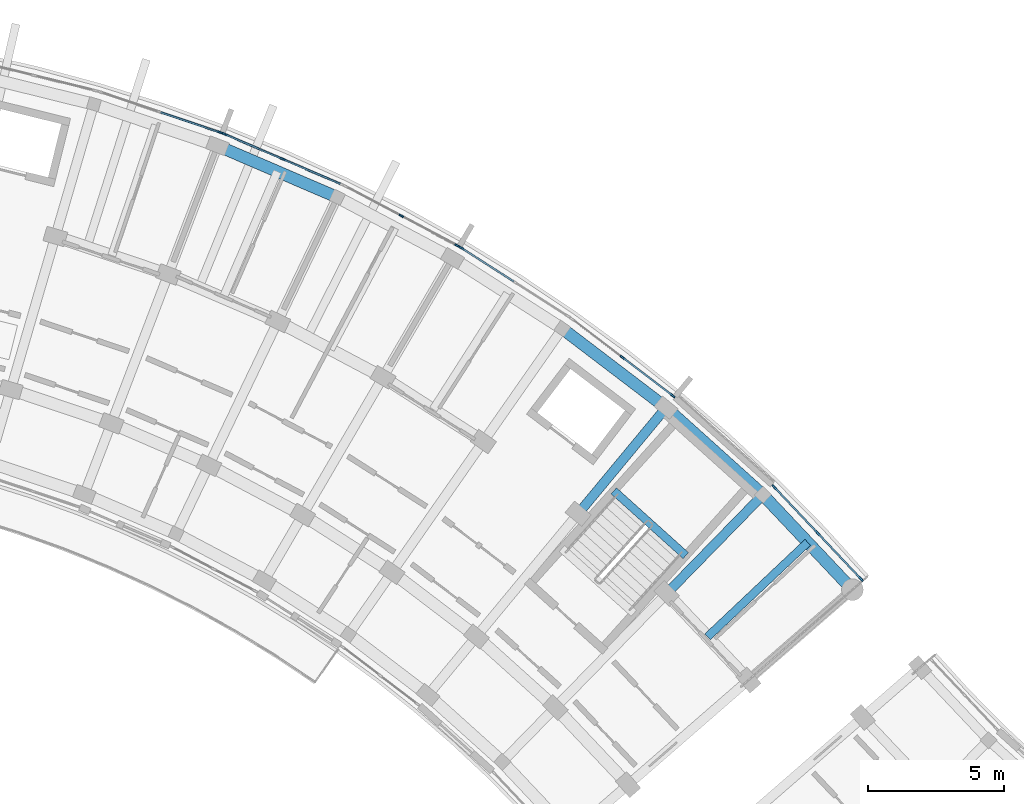
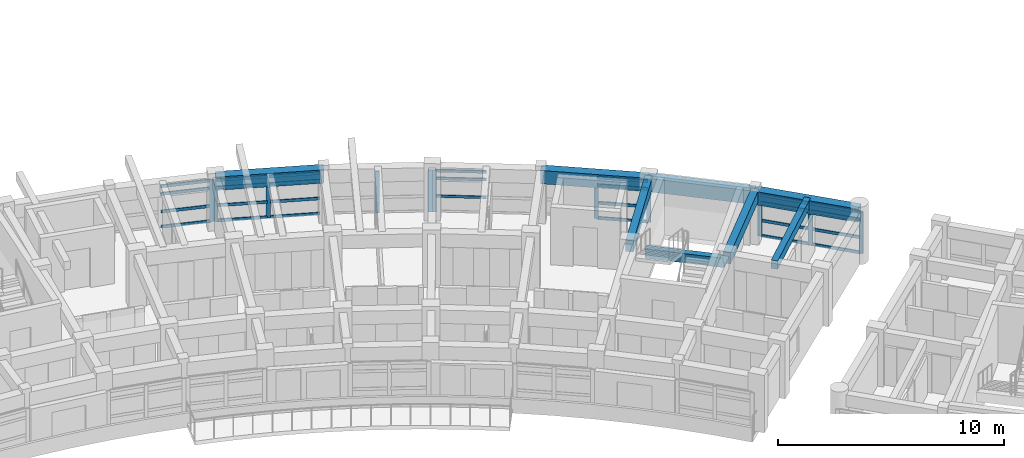
# One storey, part 15 of 56: 38 members, 8 beams, 6 elements without a shape of their own.
"""IFC4 building model written with IfcOpenShell, lengths in metres."""

from ifc_helpers import new_model, si_unit, direction, frame, origin, origin_2d, place, context, subcontext, project, spatial, rectangle, extrude, material, material_profile, profile_set, type_object, element, aggregate, save


model = new_model("IFC4")

# Units and contexts
model_context = context("Model", 3, precision=1e-05, world=origin(), true_north=direction((0.0, 1.0)))
body_context = subcontext(model_context, "Body", "Model", "MODEL_VIEW")
ifc_project = project(units=[si_unit("LENGTHUNIT", "METRE"), si_unit("AREAUNIT", "SQUARE_METRE"), si_unit("VOLUMEUNIT", "CUBIC_METRE"), si_unit("PLANEANGLEUNIT", "RADIAN"), si_unit("MASSUNIT", "GRAM", prefix="KILO")], contexts=[model_context])

# Site, building, storey
site_placement = place(None, origin())
site = spatial("IfcSite", under=ifc_project, at=site_placement, CompositionType="ELEMENT")
building_placement = place(site_placement, origin())
building = spatial("IfcBuilding", under=site, at=building_placement, Name="Zimvara Arc Housing Community", CompositionType="ELEMENT")
storey_placement = place(building_placement, frame((0.0, 0.0, 17.39990234375)))
storey = spatial("IfcBuildingStorey", under=building, at=storey_placement, Name="L05", CompositionType="ELEMENT", Elevation=17.39990234375)

# Beams
ifc_material_1 = material(Name="Concrete C40/50", Category="concrete")
ifc_material_profile_1 = material_profile(ifc_material_1, rectangle(XDim=0.300048828125, YDim=0.449951171875, at=origin_2d()), Name="RC 300x450")
ifc_profile_set_1 = profile_set([ifc_material_profile_1], Name="Concrete C40/50")
beam_type_1 = type_object("IfcBeamType", Name="BM-RC-300x450", PredefinedType="JOIST", material=ifc_profile_set_1)
beam_1_placement = place(storey_placement, frame((84.095703125, 81.3935546875, 2.64501953125), z_axis=(0.727299876429, 0.686319815936, 0.0), x_axis=(-0.686319815936, 0.727299876429, 0.0)))
element("IfcBeam", 1, at=beam_1_placement, inside=storey, type_object=beam_type_1, Name="bm:blkB:L05:joist:b9", PredefinedType="JOIST", context=body_context, shape_type="SweptSolid", body=[
    extrude(rectangle(XDim=0.300048828125, YDim=0.449951171875, at=origin_2d()), origin(), (0.0, 0.0, 1.0), 5.075927734375),
])
ifc_material_2 = material(Name="Concrete C40/50", Category="concrete")
ifc_material_profile_2 = material_profile(ifc_material_2, rectangle(XDim=0.300048828125, YDim=0.5, at=origin_2d()), Name="RC 300x500")
ifc_profile_set_2 = profile_set([ifc_material_profile_2], Name="Concrete C40/50")
beam_type_2 = type_object("IfcBeamType", Name="BM-RC-300x500", PredefinedType="BEAM", material=ifc_profile_set_2)
beam_2_placement = place(storey_placement, frame((83.2900390625, 84.38671875, 1.300048828125), z_axis=(-0.743396155404, 0.668851370732, 0.0), x_axis=(-0.668851370732, -0.743396155404, 0.0)))
element("IfcBeam", 2, at=beam_2_placement, inside=storey, type_object=beam_type_2, Name="bm:stair_trim:ST-B2:L05:mid", PredefinedType="BEAM", context=body_context, shape_type="SweptSolid", body=[
    extrude(rectangle(XDim=0.300048828125, YDim=0.5, at=origin_2d()), origin(), (0.0, 0.0, 1.0), 3.56982421875),
])
ifc_material_3 = material(Name="Concrete C40/50", Category="concrete")
ifc_material_profile_3 = material_profile(ifc_material_3, rectangle(XDim=0.35009765625, YDim=0.60009765625, at=origin_2d()), Name="RC 350x600")
ifc_profile_set_3 = profile_set([ifc_material_profile_3], Name="Concrete C40/50")
beam_type_3 = type_object("IfcBeamType", Name="BM-RC-350x600", PredefinedType="BEAM", material=ifc_profile_set_3)
for number, where, z_axis, x_axis, name in (
    (3, (79.322265625, 85.9296875, 2.570068359375), (0.637983669165, 0.77004989311, 0.0), (-0.77004989311, 0.637983669165, 0.0), "bm:blkB:L05:rad:b8:r23"),
    (4, (82.588134765625, 82.9912109375, 2.570068359375), (0.698670885014, 0.71544321538, 0.0), (-0.71544321538, 0.698670885014, 0.0), "bm:blkB:L05:rad:b9:r23"),
):
    element("IfcBeam", number, at=place(storey_placement, frame(where, z_axis=z_axis, x_axis=x_axis)), inside=storey, type_object=beam_type_3, Name=name, PredefinedType="BEAM", context=body_context, shape_type="SweptSolid", body=[
        extrude(rectangle(XDim=0.35009765625, YDim=0.60009765625, at=origin_2d()), origin(), (0.0, 0.0, 1.0), 5.080078125),
    ])
ifc_material_4 = material(Name="Concrete C40/50", Category="concrete")
ifc_material_profile_4 = material_profile(ifc_material_4, rectangle(XDim=0.43994140625, YDim=0.719970703125, at=origin_2d()), Name="RC 440x720")
ifc_profile_set_4 = profile_set([ifc_material_profile_4], Name="Concrete C40/50")
beam_type_4 = type_object("IfcBeamType", Name="BM-RC-440x720", PredefinedType="BEAM", material=ifc_profile_set_4)
for number, where, z_axis, x_axis, name in (
    (5, (66.02392578125, 99.49853515625, 2.510009765625), (0.918724276228, -0.394899612901, 0.0), (0.394899612901, 0.918724276228, 0.0), "bm:blkB:L05:chord:r3:b4"),
    (6, (78.738525390625, 92.755126953125, 2.510009765625), (0.795480673672, -0.605978958228, 0.0), (0.605978958228, 0.795480673672, 0.0), "bm:blkB:L05:chord:r3:b7"),
):
    element("IfcBeam", number, at=place(storey_placement, frame(where, z_axis=z_axis, x_axis=x_axis)), inside=storey, type_object=beam_type_4, Name=name, PredefinedType="BEAM", context=body_context, shape_type="SweptSolid", body=[
        extrude(rectangle(XDim=0.43994140625, YDim=0.719970703125, at=origin_2d()), origin(), (0.0, 0.0, 1.0), 4.80810546875),
    ])
beam_3_placement = place(storey_placement, frame((82.563232421875, 89.841552734375, 2.510009765625), z_axis=(0.743395133402, -0.668852506637, 0.0), x_axis=(0.668852506637, 0.743395133402, 0.0)))
element("IfcBeam", 7, at=beam_3_placement, inside=storey, type_object=beam_type_4, Name="bm:blkB:L05:chord:r3:b8", PredefinedType="BEAM", context=body_context, shape_type="SweptSolid", body=[
    extrude(rectangle(XDim=0.43994140625, YDim=0.719970703125, at=origin_2d()), origin(), (0.0, 0.0, 1.0), 4.807861328125),
])
beam_4_placement = place(storey_placement, frame((86.137451171875, 86.625732421875, 2.510009765625), z_axis=(0.6862954451, -0.727322873307, 0.0), x_axis=(0.727322873307, 0.6862954451, 0.0)))
element("IfcBeam", 8, at=beam_4_placement, inside=storey, type_object=beam_type_4, Name="bm:blkB:L05:chord:r3:b9", PredefinedType="BEAM", context=body_context, shape_type="SweptSolid", body=[
    extrude(rectangle(XDim=0.43994140625, YDim=0.719970703125, at=origin_2d()), origin(), (0.0, 0.0, 1.0), 4.80810546875),
])

# Curtain wall, members
ifc_material_5 = material(Name="Anodised Aluminium AW-6063", Category="aluminium")
curtain_wall_type_1 = type_object("IfcCurtainWallType", Name="CW-SYS-02", PredefinedType="USERDEFINED", material=ifc_material_5)
curtain_wall_1_placement = place(storey_placement, origin())
curtain_wall_1 = element("IfcCurtainWall", 9, at=curtain_wall_1_placement, inside=storey, type_object=curtain_wall_type_1, Name="cw:blkB:L05:out:b5", ObjectType="CURTAIN WALL", PredefinedType="USERDEFINED")
ifc_material_6 = material(Name="Anodised Aluminium AW-6063", Category="aluminium")
ifc_material_profile_5 = material_profile(ifc_material_6, rectangle(XDim=0.06494140625, YDim=0.179931640625, at=origin_2d()), Name="ALU 65x180")
ifc_profile_set_5 = profile_set([ifc_material_profile_5], Name="Anodised Aluminium AW-6063")
member_type_1 = type_object("IfcMemberType", Name="CWM-65x150", PredefinedType="MULLION", material=ifc_profile_set_5)
member_1_placement = place(storey_placement, frame((72.799072265625, 96.914794921875, 0.0), z_axis=(0.0, 0.0, 1.0), x_axis=(0.468546917761, 0.883438614651, 0.0)))
member_1 = element("IfcMember", 10, at=member_1_placement, type_object=member_type_1, Name="CW02 mullion 2", PredefinedType="MULLION", context=body_context, shape_type="SweptSolid", body=[
    extrude(rectangle(XDim=0.06494140625, YDim=0.179931640625, at=origin_2d()), origin(), (0.0, 0.0, 1.0), 2.25),
])
member_2_placement = place(storey_placement, frame((74.859130859375, 95.822265625, 0.0), z_axis=(0.0, 0.0, 1.0), x_axis=(0.468546917761, 0.883438614651, 0.0)))
member_2 = element("IfcMember", 11, at=member_2_placement, type_object=member_type_1, Name="CW02 mullion 3", PredefinedType="MULLION", context=body_context, shape_type="SweptSolid", body=[
    extrude(rectangle(XDim=0.06494140625, YDim=0.179931640625, at=origin_2d()), origin(), (0.0, 0.0, 1.0), 2.25),
])
aggregate(curtain_wall_1, [member_1, member_2])

# Curtain wall, member
ifc_material_7 = material(Name="Anodised Aluminium AW-6063", Category="aluminium")
curtain_wall_type_2 = type_object("IfcCurtainWallType", Name="CW-SYS-04", PredefinedType="USERDEFINED", material=ifc_material_7)
curtain_wall_2_placement = place(storey_placement, origin())
curtain_wall_2 = element("IfcCurtainWall", 12, at=curtain_wall_2_placement, inside=storey, type_object=curtain_wall_type_2, Name="cw:blkB:L05:out:b6", ObjectType="CURTAIN WALL", PredefinedType="USERDEFINED")
member_3_placement = place(storey_placement, frame((75.018798828125, 95.72900390625, 0.0), z_axis=(0.0, 0.0, 1.0), x_axis=(0.539064617721, 0.842264410931, 0.0)))
member_3 = element("IfcMember", 13, at=member_3_placement, type_object=member_type_1, Name="CW04 mullion 1", PredefinedType="MULLION", context=body_context, shape_type="SweptSolid", body=[
    extrude(rectangle(XDim=0.06494140625, YDim=0.179931640625, at=origin_2d()), origin(), (0.0, 0.0, 1.0), 2.25),
])

ifc_material_8 = material(Name="Anodised Aluminium AW-6063", Category="aluminium")
curtain_wall_type_3 = type_object("IfcCurtainWallType", Name="CW-SYS-07", PredefinedType="USERDEFINED", material=ifc_material_8)
curtain_wall_3_placement = place(storey_placement, origin())
curtain_wall_3 = element("IfcCurtainWall", 14, at=curtain_wall_3_placement, inside=storey, type_object=curtain_wall_type_3, Name="cw:blkB:L05:out:b3", ObjectType="CURTAIN WALL", PredefinedType="USERDEFINED")
ifc_material_9 = material(Name="Anodised Aluminium AW-6063", Category="aluminium")
ifc_material_profile_6 = material_profile(ifc_material_9, rectangle(XDim=0.06494140625, YDim=0.195068359375, at=origin_2d()), Name="ALU 65x195")
ifc_profile_set_6 = profile_set([ifc_material_profile_6], Name="Anodised Aluminium AW-6063")
member_type_2 = type_object("IfcMemberType", Name="CWM-65x180", PredefinedType="MULLION", material=ifc_profile_set_6)
member_4_placement = place(storey_placement, frame((66.11474609375, 99.9951171875, 0.0), z_axis=(0.0, 0.0, 1.0), x_axis=(0.318628583921, 0.947879647164, 0.0)))
member_4 = element("IfcMember", 15, at=member_4_placement, type_object=member_type_2, Name="CW07 mullion 3", PredefinedType="MULLION", context=body_context, shape_type="SweptSolid", body=[
    extrude(rectangle(XDim=0.06494140625, YDim=0.195068359375, at=origin_2d()), origin(), (0.0, 0.0, 1.0), 2.25),
])

# Curtain wall, members
ifc_material_10 = material(Name="Anodised Aluminium AW-6063", Category="aluminium")
curtain_wall_type_4 = type_object("IfcCurtainWallType", Name="CW-SYS-01", PredefinedType="USERDEFINED", material=ifc_material_10)
curtain_wall_4_placement = place(storey_placement, origin())
curtain_wall_4 = element("IfcCurtainWall", 16, at=curtain_wall_4_placement, inside=storey, type_object=curtain_wall_type_4, Name="cw:blkB:L05:out:b4", ObjectType="CURTAIN WALL", PredefinedType="USERDEFINED")
member_5_placement = place(storey_placement, frame((66.287353515625, 99.92919921875, 0.0), z_axis=(0.0, 0.0, 1.0), x_axis=(0.394904211998, 0.918722299363, 0.0)))
member_5 = element("IfcMember", 17, at=member_5_placement, type_object=member_type_2, Name="CW01 mullion 1", PredefinedType="MULLION", context=body_context, shape_type="SweptSolid", body=[
    extrude(rectangle(XDim=0.06494140625, YDim=0.195068359375, at=origin_2d()), origin(), (0.0, 0.0, 1.0), 2.25),
])
member_6_placement = place(storey_placement, frame((68.429931640625, 99.00830078125, 0.0), z_axis=(0.0, 0.0, 1.0), x_axis=(0.394904211998, 0.918722299363, 0.0)))
member_6 = element("IfcMember", 18, at=member_6_placement, type_object=member_type_2, Name="CW01 mullion 2", PredefinedType="MULLION", context=body_context, shape_type="SweptSolid", body=[
    extrude(rectangle(XDim=0.06494140625, YDim=0.195068359375, at=origin_2d()), origin(), (0.0, 0.0, 1.0), 2.25),
])

ifc_material_11 = material(Name="Anodised Aluminium AW-6063", Category="aluminium")
curtain_wall_type_5 = type_object("IfcCurtainWallType", Name="CW-SYS-05", PredefinedType="USERDEFINED", material=ifc_material_11)
curtain_wall_5_placement = place(storey_placement, origin())
curtain_wall_5 = element("IfcCurtainWall", 19, at=curtain_wall_5_placement, inside=storey, type_object=curtain_wall_type_5, Name="cw:blkB:L05:out:b7", ObjectType="CURTAIN WALL", PredefinedType="USERDEFINED")
member_7_placement = place(storey_placement, frame((80.95361328125, 91.69580078125, 0.0), z_axis=(0.0, 0.0, 1.0), x_axis=(0.60598771987, 0.795473999177, 0.0)))
member_7 = element("IfcMember", 20, at=member_7_placement, type_object=member_type_2, Name="CW05 mullion 2", PredefinedType="MULLION", context=body_context, shape_type="SweptSolid", body=[
    extrude(rectangle(XDim=0.06494140625, YDim=0.195068359375, at=origin_2d()), origin(), (0.0, 0.0, 1.0), 2.25),
])
member_8_placement = place(storey_placement, frame((82.80859375, 90.28271484375, 0.0), z_axis=(0.0, 0.0, 1.0), x_axis=(0.60598771987, 0.795473999177, 0.0)))
member_8 = element("IfcMember", 21, at=member_8_placement, type_object=member_type_2, Name="CW05 mullion 3", PredefinedType="MULLION", context=body_context, shape_type="SweptSolid", body=[
    extrude(rectangle(XDim=0.06494140625, YDim=0.195068359375, at=origin_2d()), origin(), (0.0, 0.0, 1.0), 2.25),
])

curtain_wall_6_placement = place(storey_placement, origin())
curtain_wall_6 = element("IfcCurtainWall", 22, at=curtain_wall_6_placement, inside=storey, type_object=curtain_wall_type_3, Name="cw:blkB:L05:out:b9", ObjectType="CURTAIN WALL", PredefinedType="USERDEFINED")
member_9_placement = place(storey_placement, frame((86.55029296875, 86.916015625, 0.0), z_axis=(0.0, 0.0, 1.0), x_axis=(0.727293647725, 0.686326416495, 0.0)))
member_9 = element("IfcMember", 23, at=member_9_placement, type_object=member_type_2, Name="CW07 mullion 1", PredefinedType="MULLION", context=body_context, shape_type="SweptSolid", body=[
    extrude(rectangle(XDim=0.06494140625, YDim=0.195068359375, at=origin_2d()), origin(), (0.0, 0.0, 1.0), 2.25),
])
member_10_placement = place(storey_placement, frame((88.150634765625, 85.219970703125, 0.0), z_axis=(0.0, 0.0, 1.0), x_axis=(0.727293647725, 0.686326416495, 0.0)))
member_10 = element("IfcMember", 24, at=member_10_placement, type_object=member_type_2, Name="CW07 mullion 2", PredefinedType="MULLION", context=body_context, shape_type="SweptSolid", body=[
    extrude(rectangle(XDim=0.06494140625, YDim=0.195068359375, at=origin_2d()), origin(), (0.0, 0.0, 1.0), 2.25),
])
member_11_placement = place(storey_placement, frame((89.751220703125, 83.524169921875, 0.0), z_axis=(0.0, 0.0, 1.0), x_axis=(0.727293647725, 0.686326416495, 0.0)))
member_11 = element("IfcMember", 25, at=member_11_placement, type_object=member_type_2, Name="CW07 mullion 3", PredefinedType="MULLION", context=body_context, shape_type="SweptSolid", body=[
    extrude(rectangle(XDim=0.06494140625, YDim=0.195068359375, at=origin_2d()), origin(), (0.0, 0.0, 1.0), 2.25),
])

# Member
ifc_material_12 = material(Name="Anodised Aluminium AW-6063", Category="aluminium")
ifc_material_profile_7 = material_profile(ifc_material_12, rectangle(XDim=0.06494140625, YDim=0.139892578125, at=origin_2d()), Name="ALU 65x140")
ifc_profile_set_7 = profile_set([ifc_material_profile_7], Name="Anodised Aluminium AW-6063")
member_type_3 = type_object("IfcMemberType", Name="CWT-65x120", PredefinedType="USERDEFINED", material=ifc_profile_set_7)
member_12_placement = place(storey_placement, frame((75.046142578125, 95.71142578125, 0.85009765625), z_axis=(0.842292914806, -0.539020079095, 0.0), x_axis=(0.539020079095, 0.842292914806, 0.0)))
member_12 = element("IfcMember", 26, at=member_12_placement, type_object=member_type_3, Name="CW04 transom 1.2", ObjectType="TRANSOM", PredefinedType="USERDEFINED", context=body_context, shape_type="SweptSolid", body=[
    extrude(rectangle(XDim=0.06494140625, YDim=0.139892578125, at=origin_2d()), origin(), (0.0, 0.0, 1.0), 2.266845703125),
])

member_13_placement = place(storey_placement, frame((75.046142578125, 95.71142578125, 1.800048828125), z_axis=(0.842292914806, -0.539020079095, 0.0), x_axis=(0.539020079095, 0.842292914806, 0.0)))
member_13 = element("IfcMember", 27, at=member_13_placement, type_object=member_type_3, Name="CW04 transom 1.3", ObjectType="TRANSOM", PredefinedType="USERDEFINED", context=body_context, shape_type="SweptSolid", body=[
    extrude(rectangle(XDim=0.06494140625, YDim=0.139892578125, at=origin_2d()), origin(), (0.0, 0.0, 1.0), 2.266845703125),
])

member_14_placement = place(storey_placement, frame((75.046142578125, 95.71142578125, 2.217529296875), z_axis=(0.842292914806, -0.539020079095, 0.0), x_axis=(0.539020079095, 0.842292914806, 0.0)))
member_14 = element("IfcMember", 28, at=member_14_placement, type_object=member_type_3, Name="CW04 transom 1.4", ObjectType="TRANSOM", PredefinedType="USERDEFINED", context=body_context, shape_type="SweptSolid", body=[
    extrude(rectangle(XDim=0.06494140625, YDim=0.139892578125, at=origin_2d()), origin(), (0.0, 0.0, 1.0), 2.266845703125),
])

aggregate(curtain_wall_2, [member_3, member_12, member_13, member_14])

ifc_material_13 = material(Name="Anodised Aluminium AW-6063", Category="aluminium")
ifc_material_profile_8 = material_profile(ifc_material_13, rectangle(XDim=0.06494140625, YDim=0.155029296875, at=origin_2d()), Name="ALU 65x155")
ifc_profile_set_8 = profile_set([ifc_material_profile_8], Name="Anodised Aluminium AW-6063")
member_type_4 = type_object("IfcMemberType", Name="CWT-65x140", PredefinedType="USERDEFINED", material=ifc_profile_set_8)
member_15_placement = place(storey_placement, frame((63.935302734375, 100.727783203125, 0.03271484375), z_axis=(0.947861605379, -0.318682250916, 0.0), x_axis=(0.318682250916, 0.947861605379, 0.0)))
member_15 = element("IfcMember", 29, at=member_15_placement, type_object=member_type_4, Name="CW07 transom 2.1", ObjectType="TRANSOM", PredefinedType="USERDEFINED", context=body_context, shape_type="SweptSolid", body=[
    extrude(rectangle(XDim=0.06494140625, YDim=0.155029296875, at=origin_2d()), origin(), (0.0, 0.0, 1.0), 2.266845703125),
])

member_16_placement = place(storey_placement, frame((63.935302734375, 100.727783203125, 0.85009765625), z_axis=(0.947861605379, -0.318682250916, 0.0), x_axis=(0.318682250916, 0.947861605379, 0.0)))
member_16 = element("IfcMember", 30, at=member_16_placement, type_object=member_type_4, Name="CW07 transom 2.2", ObjectType="TRANSOM", PredefinedType="USERDEFINED", context=body_context, shape_type="SweptSolid", body=[
    extrude(rectangle(XDim=0.06494140625, YDim=0.155029296875, at=origin_2d()), origin(), (0.0, 0.0, 1.0), 2.266845703125),
])

member_17_placement = place(storey_placement, frame((63.935302734375, 100.727783203125, 1.800048828125), z_axis=(0.947861605379, -0.318682250916, 0.0), x_axis=(0.318682250916, 0.947861605379, 0.0)))
member_17 = element("IfcMember", 31, at=member_17_placement, type_object=member_type_4, Name="CW07 transom 2.3", ObjectType="TRANSOM", PredefinedType="USERDEFINED", context=body_context, shape_type="SweptSolid", body=[
    extrude(rectangle(XDim=0.06494140625, YDim=0.155029296875, at=origin_2d()), origin(), (0.0, 0.0, 1.0), 2.266845703125),
])

member_18_placement = place(storey_placement, frame((63.935302734375, 100.727783203125, 2.217529296875), z_axis=(0.947861605379, -0.318682250916, 0.0), x_axis=(0.318682250916, 0.947861605379, 0.0)))
member_18 = element("IfcMember", 32, at=member_18_placement, type_object=member_type_4, Name="CW07 transom 2.4", ObjectType="TRANSOM", PredefinedType="USERDEFINED", context=body_context, shape_type="SweptSolid", body=[
    extrude(rectangle(XDim=0.06494140625, YDim=0.155029296875, at=origin_2d()), origin(), (0.0, 0.0, 1.0), 2.266845703125),
])

aggregate(curtain_wall_3, [member_4, member_15, member_16, member_17, member_18])

member_19_placement = place(storey_placement, frame((66.3173828125, 99.916259765625, 0.03271484375), z_axis=(0.918704360712, -0.394945942641, 0.0), x_axis=(0.394945942641, 0.918704360712, 0.0)))
member_19 = element("IfcMember", 33, at=member_19_placement, type_object=member_type_4, Name="CW01 transom 1.1", ObjectType="TRANSOM", PredefinedType="USERDEFINED", context=body_context, shape_type="SweptSolid", body=[
    extrude(rectangle(XDim=0.06494140625, YDim=0.155029296875, at=origin_2d()), origin(), (0.0, 0.0, 1.0), 2.266845703125),
])

member_20_placement = place(storey_placement, frame((66.3173828125, 99.916259765625, 0.85009765625), z_axis=(0.918704360712, -0.394945942641, 0.0), x_axis=(0.394945942641, 0.918704360712, 0.0)))
member_20 = element("IfcMember", 34, at=member_20_placement, type_object=member_type_4, Name="CW01 transom 1.2", ObjectType="TRANSOM", PredefinedType="USERDEFINED", context=body_context, shape_type="SweptSolid", body=[
    extrude(rectangle(XDim=0.06494140625, YDim=0.155029296875, at=origin_2d()), origin(), (0.0, 0.0, 1.0), 2.266845703125),
])

member_21_placement = place(storey_placement, frame((66.3173828125, 99.916259765625, 1.800048828125), z_axis=(0.918704360712, -0.394945942641, 0.0), x_axis=(0.394945942641, 0.918704360712, 0.0)))
member_21 = element("IfcMember", 35, at=member_21_placement, type_object=member_type_4, Name="CW01 transom 1.3", ObjectType="TRANSOM", PredefinedType="USERDEFINED", context=body_context, shape_type="SweptSolid", body=[
    extrude(rectangle(XDim=0.06494140625, YDim=0.155029296875, at=origin_2d()), origin(), (0.0, 0.0, 1.0), 2.266845703125),
])

member_22_placement = place(storey_placement, frame((66.3173828125, 99.916259765625, 2.217529296875), z_axis=(0.918704360712, -0.394945942641, 0.0), x_axis=(0.394945942641, 0.918704360712, 0.0)))
member_22 = element("IfcMember", 36, at=member_22_placement, type_object=member_type_4, Name="CW01 transom 1.4", ObjectType="TRANSOM", PredefinedType="USERDEFINED", context=body_context, shape_type="SweptSolid", body=[
    extrude(rectangle(XDim=0.06494140625, YDim=0.155029296875, at=origin_2d()), origin(), (0.0, 0.0, 1.0), 2.266845703125),
])

member_23_placement = place(storey_placement, frame((68.459716796875, 98.995361328125, 0.03271484375), z_axis=(0.918721157939, -0.394906867444, 0.0), x_axis=(0.394906867444, 0.918721157939, 0.0)))
member_23 = element("IfcMember", 37, at=member_23_placement, type_object=member_type_4, Name="CW01 transom 2.1", ObjectType="TRANSOM", PredefinedType="USERDEFINED", context=body_context, shape_type="SweptSolid", body=[
    extrude(rectangle(XDim=0.06494140625, YDim=0.155029296875, at=origin_2d()), origin(), (0.0, 0.0, 1.0), 2.26708984375),
])

member_24_placement = place(storey_placement, frame((68.459716796875, 98.995361328125, 0.85009765625), z_axis=(0.918721157939, -0.394906867444, 0.0), x_axis=(0.394906867444, 0.918721157939, 0.0)))
member_24 = element("IfcMember", 38, at=member_24_placement, type_object=member_type_4, Name="CW01 transom 2.2", ObjectType="TRANSOM", PredefinedType="USERDEFINED", context=body_context, shape_type="SweptSolid", body=[
    extrude(rectangle(XDim=0.06494140625, YDim=0.155029296875, at=origin_2d()), origin(), (0.0, 0.0, 1.0), 2.26708984375),
])

member_25_placement = place(storey_placement, frame((68.459716796875, 98.995361328125, 1.800048828125), z_axis=(0.918721157939, -0.394906867444, 0.0), x_axis=(0.394906867444, 0.918721157939, 0.0)))
member_25 = element("IfcMember", 39, at=member_25_placement, type_object=member_type_4, Name="CW01 transom 2.3", ObjectType="TRANSOM", PredefinedType="USERDEFINED", context=body_context, shape_type="SweptSolid", body=[
    extrude(rectangle(XDim=0.06494140625, YDim=0.155029296875, at=origin_2d()), origin(), (0.0, 0.0, 1.0), 2.26708984375),
])

member_26_placement = place(storey_placement, frame((68.459716796875, 98.995361328125, 2.217529296875), z_axis=(0.918721157939, -0.394906867444, 0.0), x_axis=(0.394906867444, 0.918721157939, 0.0)))
member_26 = element("IfcMember", 40, at=member_26_placement, type_object=member_type_4, Name="CW01 transom 2.4", ObjectType="TRANSOM", PredefinedType="USERDEFINED", context=body_context, shape_type="SweptSolid", body=[
    extrude(rectangle(XDim=0.06494140625, YDim=0.155029296875, at=origin_2d()), origin(), (0.0, 0.0, 1.0), 2.26708984375),
])

aggregate(curtain_wall_4, [member_5, member_6, member_19, member_20, member_21, member_22, member_23, member_24, member_25, member_26])

member_27_placement = place(storey_placement, frame((80.9794921875, 91.676025390625, 0.03271484375), z_axis=(0.795505886513, -0.605945859399, 0.0), x_axis=(0.605945859399, 0.795505886513, 0.0)))
member_27 = element("IfcMember", 41, at=member_27_placement, type_object=member_type_4, Name="CW05 transom 2.1", ObjectType="TRANSOM", PredefinedType="USERDEFINED", context=body_context, shape_type="SweptSolid", body=[
    extrude(rectangle(XDim=0.06494140625, YDim=0.155029296875, at=origin_2d()), origin(), (0.0, 0.0, 1.0), 2.266845703125),
])

member_28_placement = place(storey_placement, frame((80.9794921875, 91.676025390625, 0.85009765625), z_axis=(0.795505886513, -0.605945859399, 0.0), x_axis=(0.605945859399, 0.795505886513, 0.0)))
member_28 = element("IfcMember", 42, at=member_28_placement, type_object=member_type_4, Name="CW05 transom 2.2", ObjectType="TRANSOM", PredefinedType="USERDEFINED", context=body_context, shape_type="SweptSolid", body=[
    extrude(rectangle(XDim=0.06494140625, YDim=0.155029296875, at=origin_2d()), origin(), (0.0, 0.0, 1.0), 2.266845703125),
])

member_29_placement = place(storey_placement, frame((80.9794921875, 91.676025390625, 1.800048828125), z_axis=(0.795505886513, -0.605945859399, 0.0), x_axis=(0.605945859399, 0.795505886513, 0.0)))
member_29 = element("IfcMember", 43, at=member_29_placement, type_object=member_type_4, Name="CW05 transom 2.3", ObjectType="TRANSOM", PredefinedType="USERDEFINED", context=body_context, shape_type="SweptSolid", body=[
    extrude(rectangle(XDim=0.06494140625, YDim=0.155029296875, at=origin_2d()), origin(), (0.0, 0.0, 1.0), 2.266845703125),
])

member_30_placement = place(storey_placement, frame((80.9794921875, 91.676025390625, 2.217529296875), z_axis=(0.795505886513, -0.605945859399, 0.0), x_axis=(0.605945859399, 0.795505886513, 0.0)))
member_30 = element("IfcMember", 44, at=member_30_placement, type_object=member_type_4, Name="CW05 transom 2.4", ObjectType="TRANSOM", PredefinedType="USERDEFINED", context=body_context, shape_type="SweptSolid", body=[
    extrude(rectangle(XDim=0.06494140625, YDim=0.155029296875, at=origin_2d()), origin(), (0.0, 0.0, 1.0), 2.266845703125),
])

aggregate(curtain_wall_5, [member_7, member_8, member_27, member_28, member_29, member_30])

member_31_placement = place(storey_placement, frame((86.572509765625, 86.892333984375, 0.03271484375), z_axis=(0.686348357589, -0.727272941911, 0.0), x_axis=(0.727272941911, 0.686348357589, 0.0)))
member_31 = element("IfcMember", 45, at=member_31_placement, type_object=member_type_4, Name="CW07 transom 1.1", ObjectType="TRANSOM", PredefinedType="USERDEFINED", context=body_context, shape_type="SweptSolid", body=[
    extrude(rectangle(XDim=0.06494140625, YDim=0.155029296875, at=origin_2d()), origin(), (0.0, 0.0, 1.0), 2.266845703125),
])

member_32_placement = place(storey_placement, frame((86.572509765625, 86.892333984375, 0.85009765625), z_axis=(0.686348357589, -0.727272941911, 0.0), x_axis=(0.727272941911, 0.686348357589, 0.0)))
member_32 = element("IfcMember", 46, at=member_32_placement, type_object=member_type_4, Name="CW07 transom 1.2", ObjectType="TRANSOM", PredefinedType="USERDEFINED", context=body_context, shape_type="SweptSolid", body=[
    extrude(rectangle(XDim=0.06494140625, YDim=0.155029296875, at=origin_2d()), origin(), (0.0, 0.0, 1.0), 2.266845703125),
])

member_33_placement = place(storey_placement, frame((86.572509765625, 86.892333984375, 1.800048828125), z_axis=(0.686348357589, -0.727272941911, 0.0), x_axis=(0.727272941911, 0.686348357589, 0.0)))
member_33 = element("IfcMember", 47, at=member_33_placement, type_object=member_type_4, Name="CW07 transom 1.3", ObjectType="TRANSOM", PredefinedType="USERDEFINED", context=body_context, shape_type="SweptSolid", body=[
    extrude(rectangle(XDim=0.06494140625, YDim=0.155029296875, at=origin_2d()), origin(), (0.0, 0.0, 1.0), 2.266845703125),
])

member_34_placement = place(storey_placement, frame((86.572509765625, 86.892333984375, 2.217529296875), z_axis=(0.686348357589, -0.727272941911, 0.0), x_axis=(0.727272941911, 0.686348357589, 0.0)))
member_34 = element("IfcMember", 48, at=member_34_placement, type_object=member_type_4, Name="CW07 transom 1.4", ObjectType="TRANSOM", PredefinedType="USERDEFINED", context=body_context, shape_type="SweptSolid", body=[
    extrude(rectangle(XDim=0.06494140625, YDim=0.155029296875, at=origin_2d()), origin(), (0.0, 0.0, 1.0), 2.266845703125),
])

member_35_placement = place(storey_placement, frame((88.173095703125, 85.196533203125, 0.03271484375), z_axis=(0.68623762882, -0.727377423894, 0.0), x_axis=(0.727377423894, 0.68623762882, 0.0)))
member_35 = element("IfcMember", 49, at=member_35_placement, type_object=member_type_4, Name="CW07 transom 2.1", ObjectType="TRANSOM", PredefinedType="USERDEFINED", context=body_context, shape_type="SweptSolid", body=[
    extrude(rectangle(XDim=0.06494140625, YDim=0.155029296875, at=origin_2d()), origin(), (0.0, 0.0, 1.0), 2.266845703125),
])

member_36_placement = place(storey_placement, frame((88.173095703125, 85.196533203125, 0.85009765625), z_axis=(0.68623762882, -0.727377423894, 0.0), x_axis=(0.727377423894, 0.68623762882, 0.0)))
member_36 = element("IfcMember", 50, at=member_36_placement, type_object=member_type_4, Name="CW07 transom 2.2", ObjectType="TRANSOM", PredefinedType="USERDEFINED", context=body_context, shape_type="SweptSolid", body=[
    extrude(rectangle(XDim=0.06494140625, YDim=0.155029296875, at=origin_2d()), origin(), (0.0, 0.0, 1.0), 2.266845703125),
])

member_37_placement = place(storey_placement, frame((88.173095703125, 85.196533203125, 1.800048828125), z_axis=(0.68623762882, -0.727377423894, 0.0), x_axis=(0.727377423894, 0.68623762882, 0.0)))
member_37 = element("IfcMember", 51, at=member_37_placement, type_object=member_type_4, Name="CW07 transom 2.3", ObjectType="TRANSOM", PredefinedType="USERDEFINED", context=body_context, shape_type="SweptSolid", body=[
    extrude(rectangle(XDim=0.06494140625, YDim=0.155029296875, at=origin_2d()), origin(), (0.0, 0.0, 1.0), 2.266845703125),
])

member_38_placement = place(storey_placement, frame((88.173095703125, 85.196533203125, 2.217529296875), z_axis=(0.68623762882, -0.727377423894, 0.0), x_axis=(0.727377423894, 0.68623762882, 0.0)))
member_38 = element("IfcMember", 52, at=member_38_placement, type_object=member_type_4, Name="CW07 transom 2.4", ObjectType="TRANSOM", PredefinedType="USERDEFINED", context=body_context, shape_type="SweptSolid", body=[
    extrude(rectangle(XDim=0.06494140625, YDim=0.155029296875, at=origin_2d()), origin(), (0.0, 0.0, 1.0), 2.266845703125),
])

aggregate(curtain_wall_6, [member_9, member_10, member_11, member_31, member_32, member_33, member_34, member_35, member_36, member_37, member_38])

save(model, "model.ifc")
